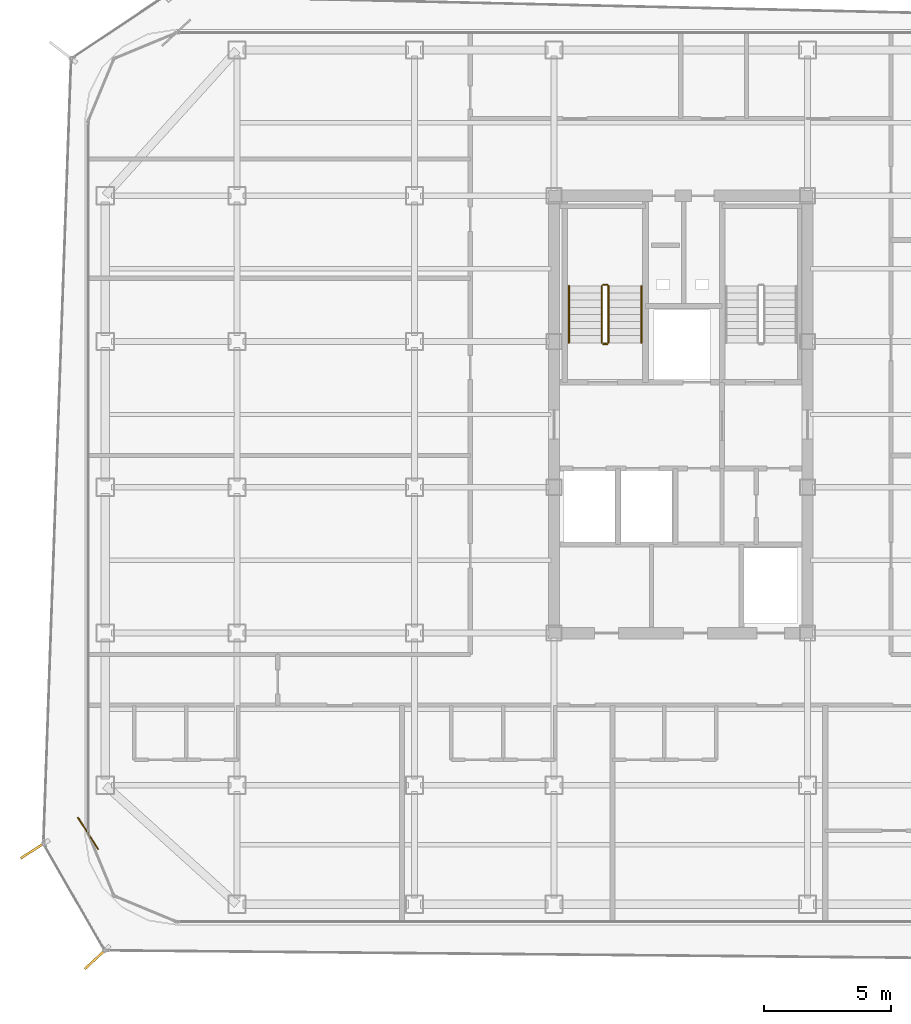
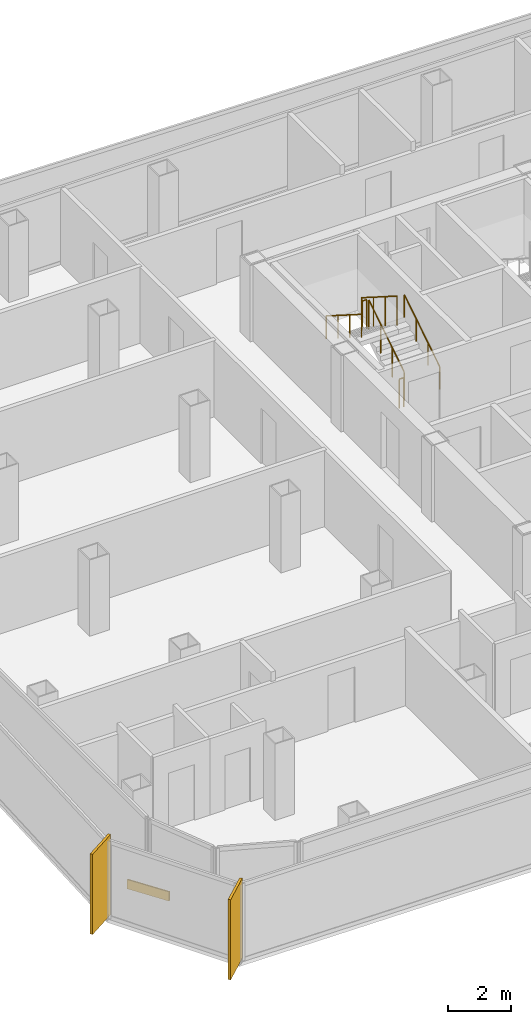
# One storey, part 14 of 16: 6 railings, 2 shading devices, 1 covering.
"""IFC4 building model written with IfcOpenShell, lengths in metres."""

from ifc_helpers import new_model, si_unit, direction, frame, origin, origin_2d, place, context, subcontext, project, spatial, rectangle, circle, extrude, source, transform, mapped, material, layer, layer_set, type_object, element, save


model = new_model("IFC4")

# Units and contexts
model_context = context("Model", 3, precision=1e-05, world=origin(), true_north=direction((0.0, 1.0)))
body_context = subcontext(model_context, "Body", "Model", "MODEL_VIEW")
ifc_project = project(units=[si_unit("LENGTHUNIT", "METRE"), si_unit("AREAUNIT", "SQUARE_METRE"), si_unit("VOLUMEUNIT", "CUBIC_METRE"), si_unit("PLANEANGLEUNIT", "RADIAN"), si_unit("MASSUNIT", "GRAM", prefix="KILO")], contexts=[model_context])

# Site, building, storey
site_placement = place(None, origin())
site = spatial("IfcSite", under=ifc_project, at=site_placement, CompositionType="ELEMENT")
building_placement = place(site_placement, origin())
building = spatial("IfcBuilding", under=site, at=building_placement, Name="Kolveth Station Tower", CompositionType="ELEMENT")
storey_placement = place(building_placement, frame((0.0, 0.0, 162.5)))
storey = spatial("IfcBuildingStorey", under=building, at=storey_placement, Name="L45", CompositionType="ELEMENT", Elevation=162.5)

# Railings
ifc_material_1 = material(Name="Painted Steel S355 balustrade", Category="steel")
railing_type_1 = type_object("IfcRailingType", Name="Guard_GR2", PredefinedType="BALUSTRADE", material=ifc_material_1)
railing_1_placement = place(storey_placement, frame((20.64990234375, 22.949951171875, 0.177734375)))
element("IfcRailing", 1, at=railing_1_placement, inside=storey, type_object=railing_type_1, Name="L45 ST1 stair guard 1", PredefinedType="BALUSTRADE", context=body_context, shape_type="SweptSolid", body=[
    extrude(circle(Radius=0.02392578125, at=origin_2d()), frame((0.0, 0.0, 1.1259765625), z_axis=(0.0, 0.84418770128, 0.536047689118), x_axis=(-1.0, 0.0, 0.0)), (0.0, 0.0, 1.0), 2.6533203125),
    extrude(circle(Radius=0.02099609375, at=origin_2d()), origin(), (0.0, 0.0, 1.0), 1.101806640625),
    extrude(circle(Radius=0.02099609375, at=origin_2d()), frame((0.0, 0.74658203125, 0.47412109375)), (0.0, 0.0, 1.0), 1.101806640625),
    extrude(circle(Radius=0.02099609375, at=origin_2d()), frame((0.0, 1.493408203125, 0.9482421875)), (0.0, 0.0, 1.0), 1.101806640625),
    extrude(circle(Radius=0.02099609375, at=origin_2d()), frame((0.0, 2.239990234375, 1.42236328125)), (0.0, 0.0, 1.0), 1.101806640625),
])
railing_2_placement = place(storey_placement, frame((20.60009765625, 25.239990234375, 1.60009765625)))
element("IfcRailing", 2, at=railing_2_placement, inside=storey, type_object=railing_type_1, Name="L45 ST1 stair guard 2", PredefinedType="BALUSTRADE", context=body_context, shape_type="SweptSolid", body=[
    extrude(circle(Radius=0.02392578125, at=origin_2d()), frame((0.0, 0.0, 1.1259765625), z_axis=(-1.0, 0.0, 0.0), x_axis=(0.0, -1.0, 0.0)), (0.0, 0.0, 1.0), 0.16015625),
    extrude(circle(Radius=0.02099609375, at=origin_2d()), origin(), (0.0, 0.0, 1.0), 1.101806640625),
    extrude(circle(Radius=0.02099609375, at=origin_2d()), frame((-0.16015625, 0.0, 0.0)), (0.0, 0.0, 1.0), 1.101806640625),
])
railing_3_placement = place(storey_placement, frame((20.389892578125, 25.18994140625, 1.77783203125)))
element("IfcRailing", 3, at=railing_3_placement, inside=storey, type_object=railing_type_1, Name="L45 ST1 stair guard 3", PredefinedType="BALUSTRADE", context=body_context, shape_type="SweptSolid", body=[
    extrude(circle(Radius=0.02392578125, at=origin_2d()), frame((0.0, 0.0, 1.1259765625), z_axis=(0.0, -0.8442293374, 0.53598211339), x_axis=(1.0, 0.0, 0.0)), (0.0, 0.0, 1.0), 2.6533203125),
    extrude(circle(Radius=0.02099609375, at=origin_2d()), origin(), (0.0, 0.0, 1.0), 1.101806640625),
    extrude(circle(Radius=0.02099609375, at=origin_2d()), frame((0.0, -0.74658203125, 0.47412109375)), (0.0, 0.0, 1.0), 1.101806640625),
    extrude(circle(Radius=0.02099609375, at=origin_2d()), frame((0.0, -1.493408203125, 0.947998046875)), (0.0, 0.0, 1.0), 1.101806640625),
    extrude(circle(Radius=0.02099609375, at=origin_2d()), frame((0.0, -2.239990234375, 1.422119140625)), (0.0, 0.0, 1.0), 1.101806640625),
])
railing_4_placement = place(storey_placement, frame((20.60009765625, 22.89990234375, 0.0)))
element("IfcRailing", 4, at=railing_4_placement, inside=storey, type_object=railing_type_1, Name="L45 ST1 stair guard 4", PredefinedType="BALUSTRADE", context=body_context, shape_type="SweptSolid", body=[
    extrude(circle(Radius=0.02392578125, at=origin_2d()), frame((0.0, 0.0, 1.1259765625), z_axis=(-1.0, 0.0, 0.0), x_axis=(0.0, -1.0, 0.0)), (0.0, 0.0, 1.0), 0.16015625),
    extrude(circle(Radius=0.02099609375, at=origin_2d()), origin(), (0.0, 0.0, 1.0), 1.101806640625),
    extrude(circle(Radius=0.02099609375, at=origin_2d()), frame((-0.16015625, 0.0, 0.0)), (0.0, 0.0, 1.0), 1.101806640625),
])
ifc_material_2 = material(Name="Brushed stainless steel", Category="steel")
railing_type_2 = type_object("IfcRailingType", Name="Handrail_HR1", PredefinedType="HANDRAIL", material=ifc_material_2)
railing_5_placement = place(storey_placement, frame((21.949951171875, 22.949951171875, 0.177734375)))
element("IfcRailing", 5, at=railing_5_placement, inside=storey, type_object=railing_type_2, Name="L45 ST1 stair handrail 1", PredefinedType="HANDRAIL", context=body_context, shape_type="SweptSolid", body=[
    extrude(circle(Radius=0.02392578125, at=origin_2d()), frame((0.0, 0.0, 0.8759765625), z_axis=(0.0, 0.84418770128, 0.536047689118), x_axis=(-1.0, 0.0, 0.0)), (0.0, 0.0, 1.0), 2.6533203125),
    extrude(circle(Radius=0.02099609375, at=origin_2d()), origin(), (0.0, 0.0, 1.0), 0.851806640625),
    extrude(circle(Radius=0.02099609375, at=origin_2d()), frame((0.0, 0.74658203125, 0.47412109375)), (0.0, 0.0, 1.0), 0.851806640625),
    extrude(circle(Radius=0.02099609375, at=origin_2d()), frame((0.0, 1.493408203125, 0.9482421875)), (0.0, 0.0, 1.0), 0.851806640625),
    extrude(circle(Radius=0.02099609375, at=origin_2d()), frame((0.0, 2.239990234375, 1.42236328125)), (0.0, 0.0, 1.0), 0.851806640625),
])
railing_6_placement = place(storey_placement, frame((19.090087890625, 25.18994140625, 1.77783203125)))
element("IfcRailing", 6, at=railing_6_placement, inside=storey, type_object=railing_type_2, Name="L45 ST1 stair handrail 2", PredefinedType="HANDRAIL", context=body_context, shape_type="SweptSolid", body=[
    extrude(circle(Radius=0.02392578125, at=origin_2d()), frame((0.0, 0.0, 0.8759765625), z_axis=(0.0, -0.8442293374, 0.53598211339), x_axis=(1.0, 0.0, 0.0)), (0.0, 0.0, 1.0), 2.6533203125),
    extrude(circle(Radius=0.02099609375, at=origin_2d()), origin(), (0.0, 0.0, 1.0), 0.851806640625),
    extrude(circle(Radius=0.02099609375, at=origin_2d()), frame((0.0, -0.74658203125, 0.47412109375)), (0.0, 0.0, 1.0), 0.851806640625),
    extrude(circle(Radius=0.02099609375, at=origin_2d()), frame((0.0, -1.493408203125, 0.947998046875)), (0.0, 0.0, 1.0), 0.851806640625),
    extrude(circle(Radius=0.02099609375, at=origin_2d()), frame((0.0, -2.239990234375, 1.422119140625)), (0.0, 0.0, 1.0), 0.851806640625),
])

# Shading devices
ifc_material_3 = material(Name="Black anodized aluminium 6063-T6", Category="aluminium")
shading_device_type = type_object("IfcShadingDeviceType", Name="FIN_VF1", PredefinedType="USERDEFINED", material=ifc_material_3)
shared_shape_1 = source(origin(), body_context, "Body", "SweptSolid", [
    extrude(rectangle(XDim=1.25, YDim=0.090087890625, at=origin_2d()), origin(), (0.0, 0.0, 1.0), 3.10009765625),
])
for number, where, z_axis, x_axis, name in (
    (7, (-2.013916015625, 2.948974609375, 0.0), (0.0, 0.0, 1.0), (-0.841699310121, -0.539946544894, 0.0), "L45 Dark-Aluminium Solar Fin 7"),
    (8, (0.447998046875, -1.327880859375, 0.0), (0.0, 0.0, 1.0), (-0.733017953051, -0.680209291693, 0.0), "L45 Dark-Aluminium Solar Fin 8"),
):
    element("IfcShadingDevice", number, at=place(storey_placement, frame(where, z_axis=z_axis, x_axis=x_axis)), inside=storey, type_object=shading_device_type, Name=name, ObjectType="FIN", PredefinedType="USERDEFINED", context=body_context, shape_type="MappedRepresentation", body=[
        mapped(shared_shape_1, transform((0.0, 0.0, 0.0), x_axis=(1.0, 0.0, 0.0), y_axis=(0.0, 1.0, 0.0), z_axis=(0.0, 0.0, 1.0), scale=1.0)),
    ])

# Covering
ifc_material_4 = material(Name="Charcoal anodized aluminium spandrel cladding", Category="aluminium")
ifc_layer = layer(ifc_material_4, 0.044921875)
ifc_layer_set = layer_set([ifc_layer], Name="Charcoal anodized aluminium spandrel cladding")
covering_type = type_object("IfcCoveringType", Name="Clad_CD1", PredefinedType="CLADDING", material=ifc_layer_set)
shared_shape_2 = source(origin(), body_context, "Body", "SweptSolid", [
    extrude(rectangle(XDim=1.5, YDim=0.044921875, at=origin_2d()), origin(), (0.0, 0.0, 1.0), 0.360107421875),
])
covering_placement = place(storey_placement, frame((0.1201171875, 3.60009765625, 0.0), z_axis=(0.0, 0.0, 1.0), x_axis=(0.539946544894, -0.841699310121, 0.0)))
element("IfcCovering", 9, at=covering_placement, inside=storey, type_object=covering_type, Name="L45 Spandrel Edge Cladding 7", PredefinedType="CLADDING", context=body_context, shape_type="MappedRepresentation", body=[
    mapped(shared_shape_2, transform((0.0, 0.0, 0.0), x_axis=(1.0, 0.0, 0.0), y_axis=(0.0, 1.0, 0.0), z_axis=(0.0, 0.0, 1.0), scale=1.0)),
])

save(model, "model.ifc")
